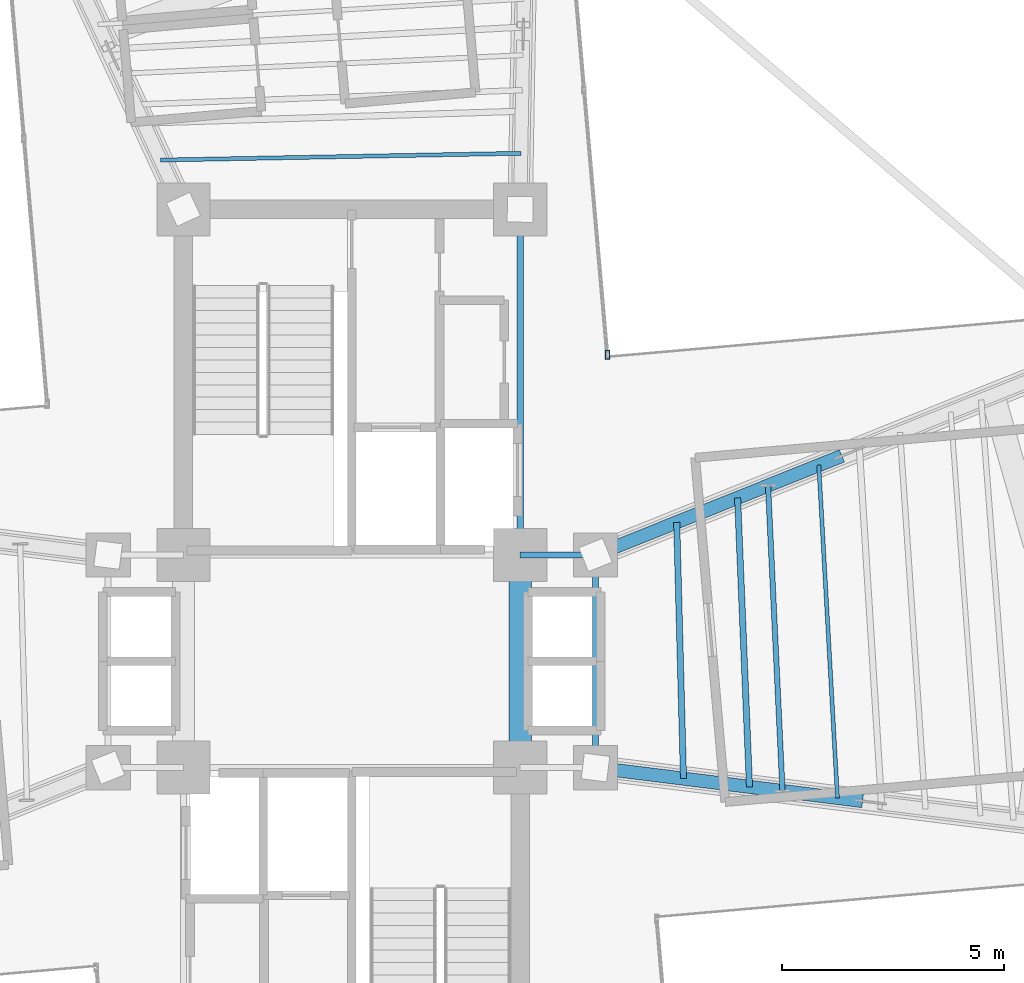
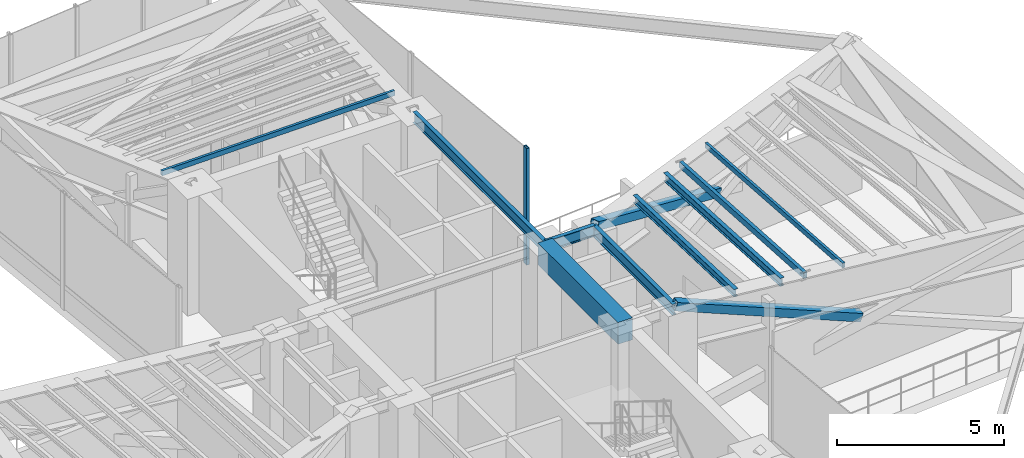
# One storey, part 7 of 17: 9 beams, 3 members, 1 element without a shape of its own.
"""IFC4 building model written with IfcOpenShell, lengths in metres."""

from ifc_helpers import new_model, si_unit, direction, frame, origin, origin_2d, place, context, subcontext, project, spatial, rectangle, hollow_rectangle, i_section, extrude, source, transform, mapped, material, material_profile, profile_set, type_object, element, aggregate, save


model = new_model("IFC4")

# Units and contexts
model_context = context("Model", 3, precision=1e-05, world=origin(), true_north=direction((0.0, 1.0)))
body_context = subcontext(model_context, "Body", "Model", "MODEL_VIEW")
ifc_project = project(units=[si_unit("LENGTHUNIT", "METRE"), si_unit("AREAUNIT", "SQUARE_METRE"), si_unit("VOLUMEUNIT", "CUBIC_METRE"), si_unit("PLANEANGLEUNIT", "RADIAN"), si_unit("MASSUNIT", "GRAM", prefix="KILO")], contexts=[model_context])

# Site, building, storey
site_placement = place(None, origin())
site = spatial("IfcSite", under=ifc_project, at=site_placement, CompositionType="ELEMENT")
building_placement = place(site_placement, origin())
building = spatial("IfcBuilding", under=site, at=building_placement, Name="Sahyath Konkavel Grand Hotel", CompositionType="ELEMENT")
storey_placement = place(building_placement, frame((0.0, 0.0, 202.0)))
storey = spatial("IfcBuildingStorey", under=building, at=storey_placement, Name="L56", CompositionType="ELEMENT", Elevation=202.0)

# Beams
ifc_material_1 = material(Name="Steel E350", Category="steel")
ifc_material_profile_1 = material_profile(ifc_material_1, i_section(OverallWidth=0.139892578125, OverallDepth=0.39990234375, WebThickness=0.0087890625, FlangeThickness=0.01611328125, FilletRadius=0.013916015625, at=origin_2d()), Name="ISMB 400")
ifc_profile_set_1 = profile_set([ifc_material_profile_1], Name="Steel E350")
beam_type_1 = type_object("IfcBeamType", Name="BM-ISMB400", PredefinedType="BEAM", material=ifc_profile_set_1)
shared_shape_1 = source(origin(), body_context, "Body", "SweptSolid", [
    extrude(i_section(OverallWidth=0.139892578125, OverallDepth=0.39990234375, WebThickness=0.0087890625, FlangeThickness=0.01611328125, FilletRadius=0.013916015625, at=origin_2d()), origin(), (0.0, 0.0, 1.0), 7.800048828125),
])
beam_1_placement = place(storey_placement, frame((3.800048828125, 2.39990234375, 4.06005859375), z_axis=(0.0, 1.0, 0.0), x_axis=(-1.0, 0.0, 0.0)))
element("IfcBeam", 1, at=beam_1_placement, inside=storey, type_object=beam_type_1, Name="str:bm:L56:NC-E", PredefinedType="BEAM", context=body_context, shape_type="MappedRepresentation", body=[
    mapped(shared_shape_1, transform((0.0, 0.0, 0.0), scale=1.0)),
])
shared_shape_2 = source(origin(), body_context, "Body", "SweptSolid", [
    extrude(i_section(OverallWidth=0.139892578125, OverallDepth=0.39990234375, WebThickness=0.0087890625, FlangeThickness=0.01611328125, FilletRadius=0.013916015625, at=origin_2d()), origin(), (0.0, 0.0, 1.0), 1.699951171875),
])
beam_2_placement = place(storey_placement, frame((3.800048828125, 2.39990234375, 4.06005859375), z_axis=(1.0, 0.0, 0.0), x_axis=(0.0, 1.0, 0.0)))
element("IfcBeam", 2, at=beam_2_placement, inside=storey, type_object=beam_type_1, Name="str:bm:L56:HB-NE", PredefinedType="BEAM", context=body_context, shape_type="MappedRepresentation", body=[
    mapped(shared_shape_2, transform((0.0, 0.0, 0.0), scale=1.0)),
])
shared_shape_3 = source(origin(), body_context, "Body", "SweptSolid", [
    extrude(i_section(OverallWidth=0.139892578125, OverallDepth=0.39990234375, WebThickness=0.0087890625, FlangeThickness=0.01611328125, FilletRadius=0.013916015625, at=origin_2d()), origin(), (0.0, 0.0, 1.0), 4.7998046875),
])
beam_3_placement = place(storey_placement, frame((5.5, -2.39990234375, 4.06005859375), z_axis=(0.0, 1.0, 0.0), x_axis=(-1.0, 0.0, 0.0)))
element("IfcBeam", 3, at=beam_3_placement, inside=storey, type_object=beam_type_1, Name="str:bm:L56:HB-E", PredefinedType="BEAM", context=body_context, shape_type="MappedRepresentation", body=[
    mapped(shared_shape_3, transform((0.0, 0.0, 0.0), scale=1.0)),
])
ifc_material_2 = material(Name="Concrete C50/60", Category="concrete")
ifc_material_profile_2 = material_profile(ifc_material_2, rectangle(XDim=0.5, YDim=0.800048828125, at=origin_2d()), Name="RC 500x800")
ifc_profile_set_2 = profile_set([ifc_material_profile_2], Name="Concrete C50/60")
beam_type_2 = type_object("IfcBeamType", Name="BM-CB500x800", PredefinedType="LINTEL", material=ifc_profile_set_2)
shared_shape_4 = source(origin(), body_context, "Body", "SweptSolid", [
    extrude(rectangle(XDim=0.5, YDim=0.800048828125, at=origin_2d()), origin(), (0.0, 0.0, 1.0), 4.7998046875),
])
beam_4_placement = place(storey_placement, frame((3.800048828125, -2.39990234375, 3.860107421875), z_axis=(0.0, 1.0, 0.0), x_axis=(-1.0, 0.0, 0.0)))
element("IfcBeam", 4, at=beam_4_placement, inside=storey, type_object=beam_type_2, Name="L56 Split-Core Coupling Beam East", PredefinedType="LINTEL", context=body_context, shape_type="MappedRepresentation", body=[
    mapped(shared_shape_4, transform((0.0, 0.0, 0.0), scale=1.0)),
])
ifc_material_profile_3 = material_profile(ifc_material_1, i_section(OverallWidth=0.139892578125, OverallDepth=0.300048828125, WebThickness=0.0078125, FlangeThickness=0.01318359375, FilletRadius=0.013916015625, at=origin_2d()), Name="ISMB 300")
ifc_profile_set_3 = profile_set([ifc_material_profile_3], Name="Steel E350")
beam_type_3 = type_object("IfcBeamType", Name="BM-ISMB300", PredefinedType="BEAM", material=ifc_profile_set_3)
shared_shape_5 = source(origin(), body_context, "Body", "SweptSolid", [
    extrude(i_section(OverallWidth=0.139892578125, OverallDepth=0.300048828125, WebThickness=0.0078125, FlangeThickness=0.01318359375, FilletRadius=0.013916015625, at=origin_2d()), origin(), (0.0, 0.0, 1.0), 6.530029296875),
])
beam_5_placement = place(storey_placement, frame((8.9755859375, -2.835205078125, 4.110107421875), z_axis=(-0.04112667768, 0.999153940283, 0.0), x_axis=(-0.999153940283, -0.04112667768, 0.0)))
element("IfcBeam", 5, at=beam_5_placement, inside=storey, type_object=beam_type_3, Name="L56 Secondary Floor Beam E-1", PredefinedType="BEAM", context=body_context, shape_type="MappedRepresentation", body=[
    mapped(shared_shape_5, transform((0.0, 0.0, 0.0), scale=1.0)),
])

# Members
ifc_material_3 = material(Name="Steel E450", Category="steel")
ifc_material_profile_4 = material_profile(ifc_material_3, hollow_rectangle(XDim=0.300048828125, YDim=0.300048828125, WallThickness=0.01611328125, at=origin_2d()), Name="SHS 300x300x16")
ifc_profile_set_4 = profile_set([ifc_material_profile_4], Name="Steel E450")
member_type_1 = type_object("IfcMemberType", Name="BR-SHS300", PredefinedType="BRACE", material=ifc_profile_set_4)
shared_shape_6 = source(origin(), body_context, "Body", "SweptSolid", [
    extrude(hollow_rectangle(XDim=0.300048828125, YDim=0.300048828125, WallThickness=0.01611328125, at=origin_2d()), origin(), (0.0, 0.0, 1.0), 6.364501953125),
])
member_1_placement = place(storey_placement, frame((11.48095703125, -3.148681640625, 2.20703125), z_axis=(-0.939744349799, 0.117650253932, 0.320996845421), x_axis=(-0.124224163975, -0.992254179676, 0.0)))
element("IfcMember", 6, at=member_1_placement, inside=storey, type_object=member_type_1, Name="L56 Core Outrigger Truss EA Split Upper Diagonal 2B", PredefinedType="BRACE", context=body_context, shape_type="MappedRepresentation", body=[
    mapped(shared_shape_6, transform((0.0, 0.0, 0.0), scale=1.0)),
])
shared_shape_7 = source(origin(), body_context, "Body", "SweptSolid", [
    extrude(hollow_rectangle(XDim=0.300048828125, YDim=0.300048828125, WallThickness=0.01611328125, at=origin_2d()), origin(), (0.0, 0.0, 1.0), 6.286376953125),
])
member_2_placement = place(storey_placement, frame((11.016357421875, 4.617431640625, 2.2080078125), z_axis=(-0.877522771056, -0.352756774928, 0.324832947869), x_axis=(0.37298312466, -0.927838126356, 0.0)))
element("IfcMember", 7, at=member_2_placement, inside=storey, type_object=member_type_1, Name="L56 Core Outrigger Truss EB Split Upper Diagonal 2B", PredefinedType="BRACE", context=body_context, shape_type="MappedRepresentation", body=[
    mapped(shared_shape_7, transform((0.0, 0.0, 0.0), scale=1.0)),
])

# Beams
ifc_material_profile_5 = material_profile(ifc_material_1, i_section(OverallWidth=0.139892578125, OverallDepth=0.27490234375, WebThickness=0.00634765625, FlangeThickness=0.0087890625, FilletRadius=0.012939453125, at=origin_2d()), Name="ISLB 275")
ifc_profile_set_5 = profile_set([ifc_material_profile_5], Name="Steel E350")
beam_type_4 = type_object("IfcBeamType", Name="BM-ISLB275", PredefinedType="BEAM", material=ifc_profile_set_5)
shared_shape_8 = source(origin(), body_context, "Body", "SweptSolid", [
    extrude(i_section(OverallWidth=0.139892578125, OverallDepth=0.27490234375, WebThickness=0.00634765625, FlangeThickness=0.0087890625, FilletRadius=0.012939453125, at=origin_2d()), origin(), (0.0, 0.0, 1.0), 5.787353515625),
])
beam_6_placement = place(storey_placement, frame((7.486083984375, -2.648681640625, 4.12255859375), z_axis=(-0.026491943658, 0.99964902687, 0.0), x_axis=(-0.99964902687, -0.026491943658, 0.0)))
element("IfcBeam", 8, at=beam_6_placement, inside=storey, type_object=beam_type_4, Name="L56 Composite Deck Sub-Beam E-1", PredefinedType="BEAM", context=body_context, shape_type="MappedRepresentation", body=[
    mapped(shared_shape_8, transform((0.0, 0.0, 0.0), scale=1.0)),
])
ifc_material_profile_6 = material_profile(ifc_material_1, hollow_rectangle(XDim=0.1201171875, YDim=0.219970703125, WallThickness=0.010009765625, at=origin_2d()), Name="RHS 220x120x10")
ifc_profile_set_6 = profile_set([ifc_material_profile_6], Name="Steel E350")
beam_type_5 = type_object("IfcBeamType", Name="BM-RHS220", PredefinedType="BEAM", material=ifc_profile_set_6)
shared_shape_9 = source(origin(), body_context, "Body", "SweptSolid", [
    extrude(hollow_rectangle(XDim=0.1201171875, YDim=0.219970703125, WallThickness=0.010009765625, at=origin_2d()), origin(), (0.0, 0.0, 1.0), 6.901611328125),
])
beam_7_placement = place(storey_placement, frame((9.720458984375, -2.92822265625, 4.14990234375), z_axis=(-0.047260938611, 0.998882577524, 0.0), x_axis=(-0.998882577524, -0.047260938611, 0.0)))
element("IfcBeam", 9, at=beam_7_placement, inside=storey, type_object=beam_type_5, Name="L56 Composite Deck Sub-Beam E-2", PredefinedType="BEAM", context=body_context, shape_type="MappedRepresentation", body=[
    mapped(shared_shape_9, transform((0.0, 0.0, 0.0), scale=1.0)),
])
ifc_material_profile_7 = material_profile(ifc_material_1, hollow_rectangle(XDim=0.090087890625, YDim=0.179931640625, WallThickness=0.008056640625, at=origin_2d()), Name="RHS 180x90x8")
ifc_profile_set_7 = profile_set([ifc_material_profile_7], Name="Steel E350")
beam_type_6 = type_object("IfcBeamType", Name="BM-RHS180", PredefinedType="BEAM", material=ifc_profile_set_7)
shared_shape_10 = source(origin(), body_context, "Body", "SweptSolid", [
    extrude(hollow_rectangle(XDim=0.090087890625, YDim=0.179931640625, WallThickness=0.008056640625, at=origin_2d()), origin(), (0.0, 0.0, 1.0), 7.521484375),
])
beam_8_placement = place(storey_placement, frame((10.961669921875, -3.083740234375, 4.169921875), z_axis=(-0.056090237508, 0.998425703423, 0.0), x_axis=(-0.998425703423, -0.056090237508, 0.0)))
element("IfcBeam", 10, at=beam_8_placement, inside=storey, type_object=beam_type_6, Name="L56 Composite Deck Sub-Beam E-3", PredefinedType="BEAM", context=body_context, shape_type="MappedRepresentation", body=[
    mapped(shared_shape_10, transform((0.0, 0.0, 0.0), scale=1.0)),
])
shared_shape_11 = source(origin(), body_context, "Body", "SweptSolid", [
    extrude(hollow_rectangle(XDim=0.090087890625, YDim=0.179931640625, WallThickness=0.008056640625, at=origin_2d()), origin(), (0.0, 0.0, 1.0), 8.138671875),
])
beam_9_placement = place(storey_placement, frame((3.82177734375, 11.4658203125, 4.169921875), z_axis=(-0.99982253895, -0.018838540488, 0.0), x_axis=(0.018838540488, -0.99982253895, 0.0)))
element("IfcBeam", 11, at=beam_9_placement, inside=storey, type_object=beam_type_6, Name="L56 Composite Deck Sub-Beam N-1", PredefinedType="BEAM", context=body_context, shape_type="MappedRepresentation", body=[
    mapped(shared_shape_11, transform((0.0, 0.0, 0.0), scale=1.0)),
])

# Curtain wall, member
ifc_material_4 = material(Name="Anodised Bronze Aluminium & Low-E Glazing", Category="aluminium")
curtain_wall_type = type_object("IfcCurtainWallType", Name="CW-SKYLOBBY", PredefinedType="NOTDEFINED", material=ifc_material_4)
curtain_wall_placement = place(storey_placement, origin())
curtain_wall = element("IfcCurtainWall", 12, at=curtain_wall_placement, inside=storey, type_object=curtain_wall_type, Name="L56 Unitised Curtain Wall RF8", PredefinedType="NOTDEFINED")
ifc_material_5 = material(Name="Anodised Bronze Aluminium", Category="aluminium")
ifc_material_profile_8 = material_profile(ifc_material_5, hollow_rectangle(XDim=0.10009765625, YDim=0.199951171875, WallThickness=0.008056640625, at=origin_2d()), Name="RHS 200x100x8")
ifc_profile_set_8 = profile_set([ifc_material_profile_8], Name="Anodised Bronze Aluminium")
member_type_2 = type_object("IfcMemberType", Name="CW-MUL-200", PredefinedType="MULLION", material=ifc_profile_set_8)
shared_shape_12 = source(origin(), body_context, "Body", "SweptSolid", [
    extrude(hollow_rectangle(XDim=0.10009765625, YDim=0.199951171875, WallThickness=0.008056640625, at=origin_2d()), origin(), (0.0, 0.0, 1.0), 4.260009765625),
])
member_3_placement = place(storey_placement, frame((5.768798828125, 6.919189453125, 0.0), z_axis=(0.0, 0.0, 1.0), x_axis=(1.0, 0.0, 0.0)))
member_3 = element("IfcMember", 13, at=member_3_placement, type_object=member_type_2, Name="L56 Curtain Wall Mullion RF8-0", PredefinedType="MULLION", context=body_context, shape_type="MappedRepresentation", body=[
    mapped(shared_shape_12, transform((0.0, 0.0, 0.0), scale=1.0)),
])
aggregate(curtain_wall, [member_3])

save(model, "model.ifc")
